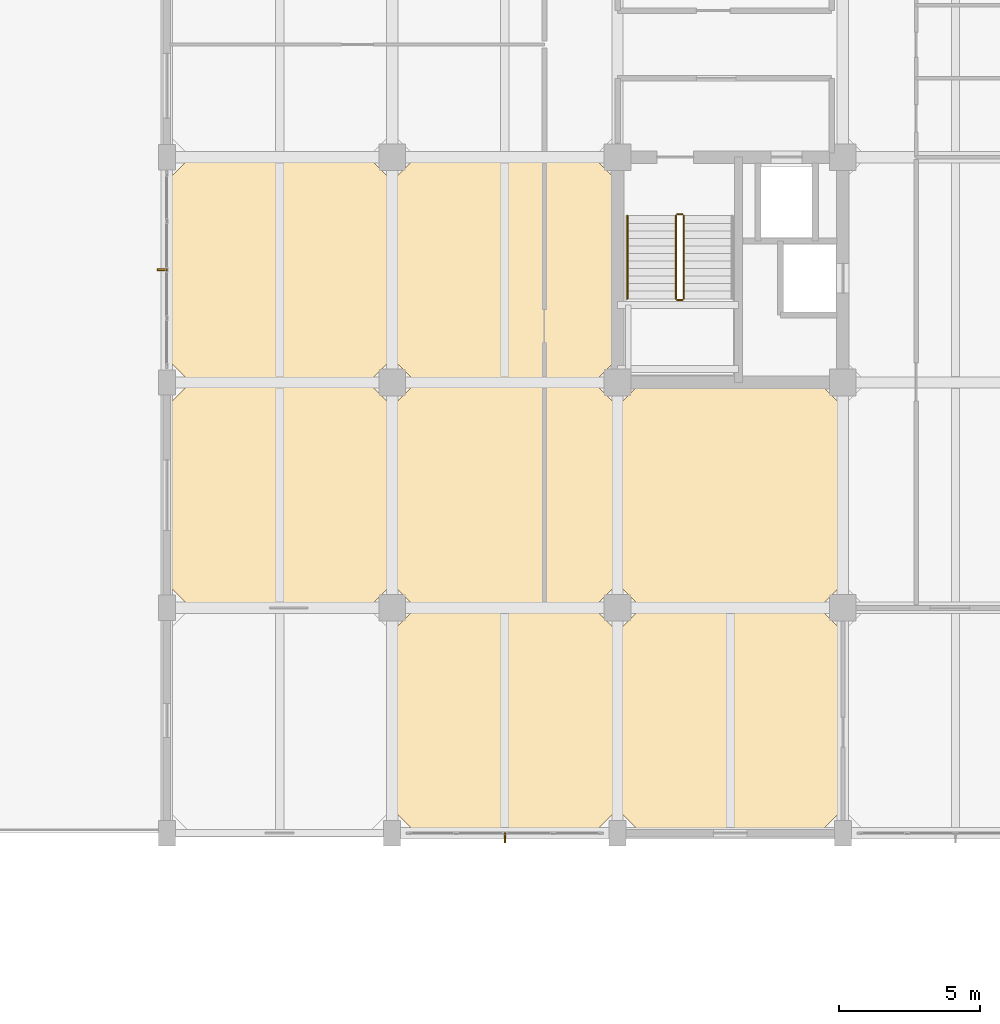
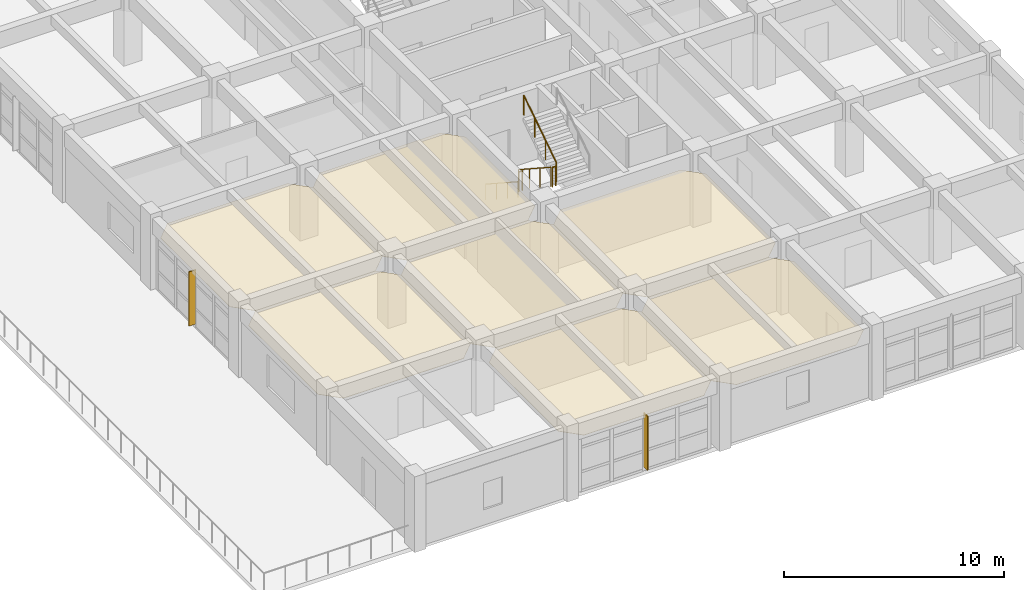
# One storey, part 30 of 35: 7 coverings, 5 railings, 2 shading devices.
"""IFC4 building model written with IfcOpenShell, lengths in metres."""

from ifc_helpers import new_model, si_unit, direction, frame, origin, origin_2d, place, context, subcontext, project, spatial, polyline, rectangle, circle, outline, extrude, material, layer, layer_set, type_object, element, save


model = new_model("IFC4")

# Units and contexts
model_context = context("Model", 3, precision=1e-05, world=origin(), true_north=direction((0.0, 1.0)))
body_context = subcontext(model_context, "Body", "Model", "MODEL_VIEW")
ifc_project = project(units=[si_unit("LENGTHUNIT", "METRE"), si_unit("AREAUNIT", "SQUARE_METRE"), si_unit("VOLUMEUNIT", "CUBIC_METRE"), si_unit("PLANEANGLEUNIT", "RADIAN"), si_unit("MASSUNIT", "GRAM", prefix="KILO")], contexts=[model_context])

# Site, building, storey
site_placement = place(None, origin())
site = spatial("IfcSite", under=ifc_project, at=site_placement, CompositionType="ELEMENT")
building_placement = place(site_placement, origin())
building = spatial("IfcBuilding", under=site, at=building_placement, Name="Canggui Botanical Conservatory", CompositionType="ELEMENT")
storey_placement = place(building_placement, frame((0.0, 0.0, 15.0)))
storey = spatial("IfcBuildingStorey", under=building, at=storey_placement, Name="L04", CompositionType="ELEMENT", Elevation=15.0)

# Coverings
ifc_material_1 = material(Name="Mineral Fibre Acoustic Board")
ifc_layer_1 = layer(ifc_material_1, 0.014892578125, Name="Mineral Fibre Acoustic Board")
ifc_layer_set_1 = layer_set([ifc_layer_1], Name="Mineral Fibre Acoustic Board")
covering_type_1 = type_object("IfcCoveringType", Name="COV-CEIL-15", PredefinedType="CEILING", material=ifc_layer_set_1)
covering_1_placement = place(storey_placement, frame((0.0, 0.0, 3.034912109375)))
element("IfcCovering", 1, at=covering_1_placement, inside=storey, type_object=covering_type_1, Name="Suspended Acoustic Ceiling L04-138-42", PredefinedType="CEILING", context=body_context, shape_type="SweptSolid", body=[
    extrude(outline(polyline([(138.85009765625, 42.0), (145.14990234375, 42.0), (146.0, 42.85009765625), (146.0, 49.14990234375), (145.14990234375, 50.0), (138.85009765625, 50.0), (138.0, 49.14990234375), (138.0, 42.85009765625), (138.85009765625, 42.0)])), origin(), (0.0, 0.0, 1.0), 0.01513671875),
])
covering_2_placement = place(storey_placement, frame((0.0, 0.0, 3.034912109375)))
element("IfcCovering", 2, at=covering_2_placement, inside=storey, type_object=covering_type_1, Name="Suspended Acoustic Ceiling L04-146-34", PredefinedType="CEILING", context=body_context, shape_type="SweptSolid", body=[
    extrude(outline(polyline([(146.85009765625, 34.0), (153.14990234375, 34.0), (154.0, 34.85009765625), (154.0, 41.14990234375), (153.14990234375, 42.0), (146.85009765625, 42.0), (146.0, 41.14990234375), (146.0, 34.85009765625), (146.85009765625, 34.0)])), origin(), (0.0, 0.0, 1.0), 0.01513671875),
])
covering_3_placement = place(storey_placement, frame((0.0, 0.0, 3.034912109375)))
element("IfcCovering", 3, at=covering_3_placement, inside=storey, type_object=covering_type_1, Name="Suspended Acoustic Ceiling L04-154-26", PredefinedType="CEILING", context=body_context, shape_type="SweptSolid", body=[
    extrude(outline(polyline([(154.85009765625, 26.0), (161.14990234375, 26.0), (162.0, 26.85009765625), (162.0, 33.14990234375), (161.14990234375, 34.0), (154.85009765625, 34.0), (154.0, 33.14990234375), (154.0, 26.85009765625), (154.85009765625, 26.0)])), origin(), (0.0, 0.0, 1.0), 0.01513671875),
])
ifc_material_2 = material(Name="Perforated Gypsum Acoustic Panel")
ifc_layer_2 = layer(ifc_material_2, 0.02001953125, Name="Perforated Gypsum Acoustic Panel")
ifc_layer_set_2 = layer_set([ifc_layer_2], Name="Perforated Gypsum Acoustic Panel")
covering_type_2 = type_object("IfcCoveringType", Name="COV-CEIL-20", PredefinedType="CEILING", material=ifc_layer_set_2)
covering_4_placement = place(storey_placement, frame((0.0, 0.0, 3.030029296875)))
element("IfcCovering", 4, at=covering_4_placement, inside=storey, type_object=covering_type_2, Name="Suspended Acoustic Ceiling L04-138-34", PredefinedType="CEILING", context=body_context, shape_type="SweptSolid", body=[
    extrude(outline(polyline([(138.85009765625, 34.0), (145.14990234375, 34.0), (146.0, 34.85009765625), (146.0, 41.14990234375), (145.14990234375, 42.0), (138.85009765625, 42.0), (138.0, 41.14990234375), (138.0, 34.85009765625), (138.85009765625, 34.0)])), origin(), (0.0, 0.0, 1.0), 0.02001953125),
])
covering_5_placement = place(storey_placement, frame((0.0, 0.0, 3.030029296875)))
element("IfcCovering", 5, at=covering_5_placement, inside=storey, type_object=covering_type_2, Name="Suspended Acoustic Ceiling L04-146-26", PredefinedType="CEILING", context=body_context, shape_type="SweptSolid", body=[
    extrude(outline(polyline([(146.85009765625, 26.0), (153.14990234375, 26.0), (154.0, 26.85009765625), (154.0, 33.14990234375), (153.14990234375, 34.0), (146.85009765625, 34.0), (146.0, 33.14990234375), (146.0, 26.85009765625), (146.85009765625, 26.0)])), origin(), (0.0, 0.0, 1.0), 0.02001953125),
])
covering_6_placement = place(storey_placement, frame((0.0, 0.0, 3.030029296875)))
element("IfcCovering", 6, at=covering_6_placement, inside=storey, type_object=covering_type_2, Name="Suspended Acoustic Ceiling L04-146-42", PredefinedType="CEILING", context=body_context, shape_type="SweptSolid", body=[
    extrude(outline(polyline([(146.85009765625, 42.0), (153.14990234375, 42.0), (154.0, 42.85009765625), (154.0, 49.14990234375), (153.14990234375, 50.0), (146.85009765625, 50.0), (146.0, 49.14990234375), (146.0, 42.85009765625), (146.85009765625, 42.0)])), origin(), (0.0, 0.0, 1.0), 0.02001953125),
])
covering_7_placement = place(storey_placement, frame((0.0, 0.0, 3.030029296875)))
element("IfcCovering", 7, at=covering_7_placement, inside=storey, type_object=covering_type_2, Name="Suspended Acoustic Ceiling L04-154-34", PredefinedType="CEILING", context=body_context, shape_type="SweptSolid", body=[
    extrude(outline(polyline([(154.85009765625, 34.0), (161.14990234375, 34.0), (162.0, 34.85009765625), (162.0, 41.14990234375), (161.14990234375, 42.0), (154.85009765625, 42.0), (154.0, 41.14990234375), (154.0, 34.85009765625), (154.85009765625, 34.0)])), origin(), (0.0, 0.0, 1.0), 0.02001953125),
])

# Railings
ifc_material_3 = material(Name="Stainless Steel 304", Category="steel")
railing_type_1 = type_object("IfcRailingType", Name="RAIL-GUARD-1100", PredefinedType="BALUSTRADE", material=ifc_material_3)
railing_1_placement = place(storey_placement, frame((156.070068359375, 47.919921875, 0.175048828125)))
element("IfcRailing", 8, at=railing_1_placement, inside=storey, type_object=railing_type_1, Name="L04 ST-T1 stair guard 1", PredefinedType="BALUSTRADE", context=body_context, shape_type="SweptSolid", body=[
    extrude(circle(Radius=0.02392578125, at=origin_2d()), frame((0.0, 0.0, 1.076171875), z_axis=(0.0, -0.837293178872, 0.54675417933), x_axis=(1.0, 0.0, 0.0)), (0.0, 0.0, 1.0), 3.520751953125),
    extrude(circle(Radius=0.02099609375, at=origin_2d()), origin(), (0.0, 0.0, 1.0), 1.052001953125),
    extrude(circle(Radius=0.02099609375, at=origin_2d()), frame((0.0, -0.982666015625, 0.6416015625)), (0.0, 0.0, 1.0), 1.052001953125),
    extrude(circle(Radius=0.02099609375, at=origin_2d()), frame((0.0, -1.96533203125, 1.283447265625)), (0.0, 0.0, 1.0), 1.052001953125),
    extrude(circle(Radius=0.02099609375, at=origin_2d()), frame((0.0, -2.947998046875, 1.925048828125)), (0.0, 0.0, 1.0), 1.052001953125),
])
railing_2_placement = place(storey_placement, frame((156.1201171875, 44.922119140625, 2.10009765625)))
element("IfcRailing", 9, at=railing_2_placement, inside=storey, type_object=railing_type_1, Name="L04 ST-T1 stair guard 2", PredefinedType="BALUSTRADE", context=body_context, shape_type="SweptSolid", body=[
    extrude(circle(Radius=0.02392578125, at=origin_2d()), frame((0.0, 0.0, 1.076171875), z_axis=(1.0, 0.0, 0.0), x_axis=(0.0, 1.0, 0.0)), (0.0, 0.0, 1.0), 0.179931640625),
    extrude(circle(Radius=0.02099609375, at=origin_2d()), origin(), (0.0, 0.0, 1.0), 1.052001953125),
    extrude(circle(Radius=0.02099609375, at=origin_2d()), frame((0.179931640625, 0.0, 0.0)), (0.0, 0.0, 1.0), 1.052001953125),
])
railing_3_placement = place(storey_placement, frame((156.35009765625, 44.971923828125, 2.27490234375)))
element("IfcRailing", 10, at=railing_3_placement, inside=storey, type_object=railing_type_1, Name="L04 ST-T1 stair guard 3", PredefinedType="BALUSTRADE", context=body_context, shape_type="SweptSolid", body=[
    extrude(circle(Radius=0.02392578125, at=origin_2d()), frame((0.0, 0.0, 1.076171875), z_axis=(0.0, 0.837293178872, 0.54675417933), x_axis=(-1.0, 0.0, 0.0)), (0.0, 0.0, 1.0), 3.520751953125),
    extrude(circle(Radius=0.02099609375, at=origin_2d()), origin(), (0.0, 0.0, 1.0), 1.052001953125),
    extrude(circle(Radius=0.02099609375, at=origin_2d()), frame((0.0, 0.982666015625, 0.6416015625)), (0.0, 0.0, 1.0), 1.052001953125),
    extrude(circle(Radius=0.02099609375, at=origin_2d()), frame((0.0, 1.96533203125, 1.283447265625)), (0.0, 0.0, 1.0), 1.052001953125),
    extrude(circle(Radius=0.02099609375, at=origin_2d()), frame((0.0, 2.947998046875, 1.925048828125)), (0.0, 0.0, 1.0), 1.052001953125),
])
railing_4_placement = place(storey_placement, frame((156.1201171875, 47.969970703125, 0.0)))
element("IfcRailing", 11, at=railing_4_placement, inside=storey, type_object=railing_type_1, Name="L04 ST-T1 stair guard 4", PredefinedType="BALUSTRADE", context=body_context, shape_type="SweptSolid", body=[
    extrude(circle(Radius=0.02392578125, at=origin_2d()), frame((0.0, 0.0, 1.076171875), z_axis=(1.0, 0.0, 0.0), x_axis=(0.0, 1.0, 0.0)), (0.0, 0.0, 1.0), 0.179931640625),
    extrude(circle(Radius=0.02099609375, at=origin_2d()), origin(), (0.0, 0.0, 1.0), 1.052001953125),
    extrude(circle(Radius=0.02099609375, at=origin_2d()), frame((0.179931640625, 0.0, 0.0)), (0.0, 0.0, 1.0), 1.052001953125),
])
railing_type_2 = type_object("IfcRailingType", Name="RAIL-HAND-900", PredefinedType="HANDRAIL", material=ifc_material_3)
railing_5_placement = place(storey_placement, frame((154.35009765625, 47.919921875, 0.175048828125)))
element("IfcRailing", 12, at=railing_5_placement, inside=storey, type_object=railing_type_2, Name="L04 ST-T1 stair handrail 1", PredefinedType="HANDRAIL", context=body_context, shape_type="SweptSolid", body=[
    extrude(circle(Radius=0.02392578125, at=origin_2d()), frame((0.0, 0.0, 0.8759765625), z_axis=(0.0, -0.837293178872, 0.54675417933), x_axis=(1.0, 0.0, 0.0)), (0.0, 0.0, 1.0), 3.520751953125),
    extrude(circle(Radius=0.02099609375, at=origin_2d()), origin(), (0.0, 0.0, 1.0), 0.851806640625),
    extrude(circle(Radius=0.02099609375, at=origin_2d()), frame((0.0, -0.982666015625, 0.6416015625)), (0.0, 0.0, 1.0), 0.851806640625),
    extrude(circle(Radius=0.02099609375, at=origin_2d()), frame((0.0, -1.96533203125, 1.283447265625)), (0.0, 0.0, 1.0), 0.851806640625),
    extrude(circle(Radius=0.02099609375, at=origin_2d()), frame((0.0, -2.947998046875, 1.925048828125)), (0.0, 0.0, 1.0), 0.851806640625),
])

# Shading devices
ifc_material_4 = material(Name="Anodised Aluminium", Category="aluminium")
shading_device_type = type_object("IfcShadingDeviceType", Name="SHD-FIN02", PredefinedType="AWNING", material=ifc_material_4)
for number, where, z_axis, x_axis, name in (
    (13, (150.0, 25.8349609375, 0.199951171875), (0.0, 0.0, 1.0), (-1.0, 0.0, 0.0), "Solar Shading Fin CW-TWR-L04-04"),
    (14, (137.8349609375, 46.0, 0.199951171875), (0.0, 0.0, 1.0), (0.0, 1.0, 0.0), "Solar Shading Fin CW-TWR-L04-08"),
):
    element("IfcShadingDevice", number, at=place(storey_placement, frame(where, z_axis=z_axis, x_axis=x_axis)), inside=storey, type_object=shading_device_type, Name=name, PredefinedType="AWNING", context=body_context, shape_type="SweptSolid", body=[
        extrude(rectangle(XDim=0.06005859375, YDim=0.360107421875, at=origin_2d()), origin(), (0.0, 0.0, 1.0), 3.0),
    ])

save(model, "model.ifc")
